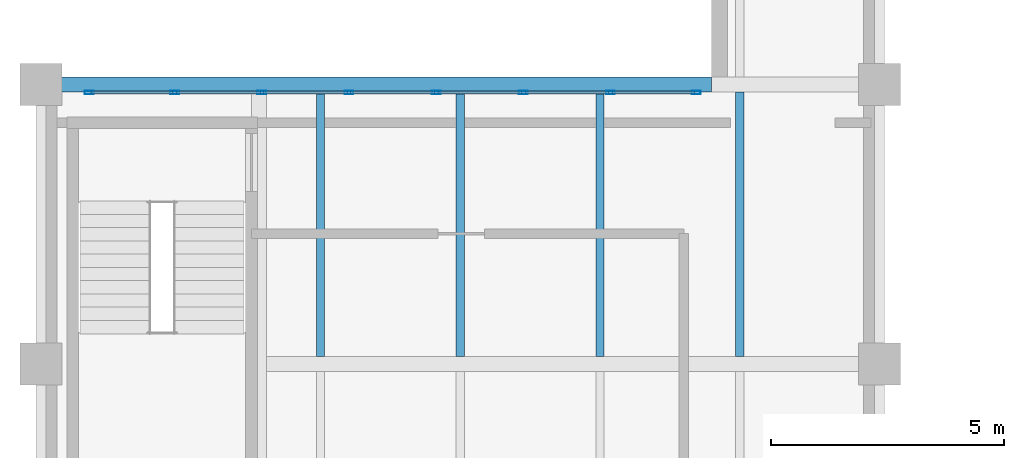
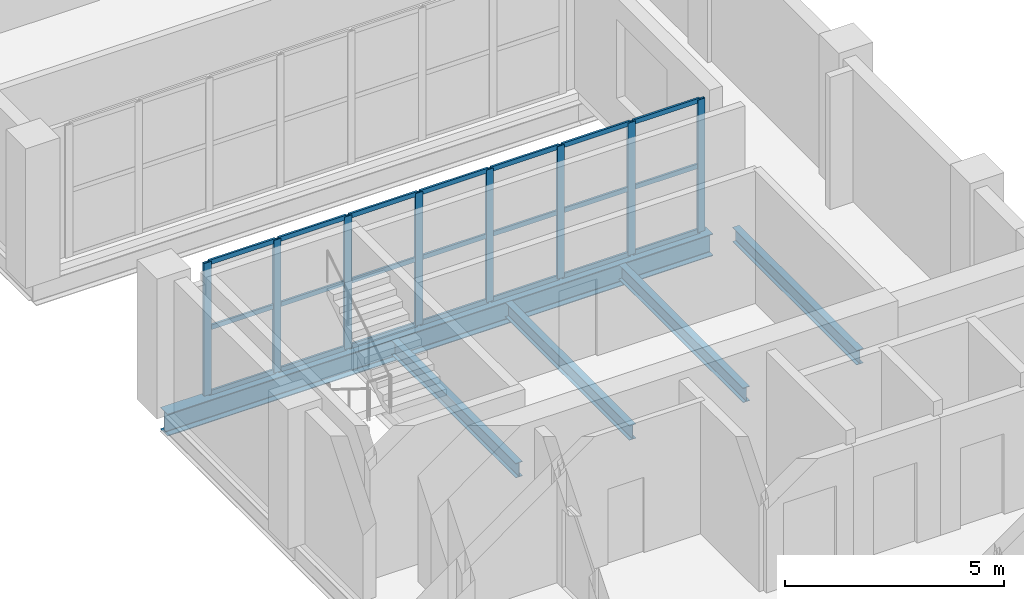
# One storey, part 2 of 9: 29 members, 5 beams, 1 element without a shape of its own.
"""IFC4 building model written with IfcOpenShell, lengths in metres."""

from ifc_helpers import new_model, si_unit, direction, frame, origin, origin_2d, place, context, subcontext, project, spatial, hollow_rectangle, i_section, extrude, material, layer, layer_set, material_profile, profile_set, type_object, element, aggregate, save


model = new_model("IFC4")

# Units and contexts
model_context = context("Model", 3, precision=1e-05, world=origin(), true_north=direction((0.0, 1.0)))
body_context = subcontext(model_context, "Body", "Model", "MODEL_VIEW")
ifc_project = project(units=[si_unit("LENGTHUNIT", "METRE"), si_unit("AREAUNIT", "SQUARE_METRE"), si_unit("VOLUMEUNIT", "CUBIC_METRE"), si_unit("PLANEANGLEUNIT", "RADIAN"), si_unit("MASSUNIT", "GRAM", prefix="KILO")], contexts=[model_context])

# Site, building, storey
site_placement = place(None, origin())
site = spatial("IfcSite", under=ifc_project, at=site_placement, CompositionType="ELEMENT")
building_placement = place(site_placement, origin())
building = spatial("IfcBuilding", under=site, at=building_placement, Name="Mawjdan Bourse Tower", CompositionType="ELEMENT")
storey_placement = place(building_placement, frame((0.0, 0.0, 195.60009765625)))
storey = spatial("IfcBuildingStorey", under=building, at=storey_placement, Name="L47", CompositionType="ELEMENT", Elevation=195.60009765625)

# Beams
ifc_material_1 = material(Name="Structural Steel S355", Category="steel")
ifc_material_profile_1 = material_profile(ifc_material_1, i_section(OverallWidth=0.324951171875, OverallDepth=0.616943359375, WebThickness=0.013916015625, FlangeThickness=0.021484375, FilletRadius=0.017333984375, at=origin_2d()), Name="W24X117")
ifc_profile_set_1 = profile_set([ifc_material_profile_1], Name="Structural Steel S355")
beam_type_1 = type_object("IfcBeamType", Name="GRD-W24X117", PredefinedType="BEAM", material=ifc_profile_set_1)
beam_placement = place(storey_placement, frame((6.0, 30.0, -0.508544921875), z_axis=(1.0, 0.0, 0.0), x_axis=(0.0, 1.0, 0.0)))
element("IfcBeam", 1, at=beam_placement, inside=storey, type_object=beam_type_1, Name="L47 North Wing Clear-Span Girder 048", PredefinedType="BEAM", context=body_context, shape_type="SweptSolid", body=[
    extrude(i_section(OverallWidth=0.324951171875, OverallDepth=0.616943359375, WebThickness=0.013916015625, FlangeThickness=0.021484375, FilletRadius=0.017333984375, at=origin_2d()), origin(), (0.0, 0.0, 1.0), 14.39990234375),
])
ifc_material_profile_2 = material_profile(ifc_material_1, i_section(OverallWidth=0.177978515625, OverallDepth=0.406982421875, WebThickness=0.0078125, FlangeThickness=0.0126953125, FilletRadius=0.01025390625, at=origin_2d()), Name="W16X40")
ifc_profile_set_2 = profile_set([ifc_material_profile_2], Name="Structural Steel S355")
beam_type_2 = type_object("IfcBeamType", Name="JST-W16X40", PredefinedType="JOIST", material=ifc_profile_set_2)
for number, where, z_axis, x_axis, name in (
    (2, (12.0, 24.160400390625, -0.403564453125), (0.0, 1.0, 0.0), (-1.0, 0.0, 0.0), "L47 North Wing Composite Joist 064"),
    (3, (15.0, 24.160400390625, -0.403564453125), (0.0, 1.0, 0.0), (-1.0, 0.0, 0.0), "L47 North Wing Composite Joist 068"),
    (4, (18.0, 24.160400390625, -0.403564453125), (0.0, 1.0, 0.0), (-1.0, 0.0, 0.0), "L47 North Wing Composite Joist 072"),
    (5, (21.0, 24.160400390625, -0.403564453125), (0.0, 1.0, 0.0), (-1.0, 0.0, 0.0), "L47 North Wing Composite Joist 076"),
):
    element("IfcBeam", number, at=place(storey_placement, frame(where, z_axis=z_axis, x_axis=x_axis)), inside=storey, type_object=beam_type_2, Name=name, PredefinedType="JOIST", context=body_context, shape_type="SweptSolid", body=[
        extrude(i_section(OverallWidth=0.177978515625, OverallDepth=0.406982421875, WebThickness=0.0078125, FlangeThickness=0.0126953125, FilletRadius=0.01025390625, at=origin_2d()), origin(), (0.0, 0.0, 1.0), 5.67919921875),
    ])

# Curtain wall, members
ifc_material_2 = material(Name="Thermally Broken Aluminium and Solar Glass", Category="aluminium")
ifc_layer = layer(ifc_material_2, 0.219970703125)
ifc_layer_set = layer_set([ifc_layer], Name="Thermally Broken Aluminium and Solar Glass")
curtain_wall_type = type_object("IfcCurtainWallType", Name="CW-POR", PredefinedType="USERDEFINED", material=ifc_layer_set)
curtain_wall_placement = place(storey_placement, origin())
curtain_wall = element("IfcCurtainWall", 6, at=curtain_wall_placement, inside=storey, type_object=curtain_wall_type, Name="L47 North Void Portal Glazed Cheek 16", ObjectType="VOID PORTAL CURTAIN WALL", PredefinedType="USERDEFINED")
ifc_material_3 = material(Name="Thermally Broken Anodised Aluminium", Category="aluminium")
ifc_material_profile_3 = material_profile(ifc_material_3, hollow_rectangle(XDim=0.070068359375, YDim=0.18994140625, WallThickness=0.00439453125, at=origin_2d()), Name="ALU-MUL-190X70")
ifc_profile_set_3 = profile_set([ifc_material_profile_3], Name="Thermally Broken Anodised Aluminium")
member_type_1 = type_object("IfcMemberType", Name="MUL-ALU-MUL-190X70", PredefinedType="MULLION", material=ifc_profile_set_3)
member_1_placement = place(storey_placement, frame((20.06494140625, 29.830078125, 0.0), z_axis=(0.0, 0.0, 1.0), x_axis=(0.0, -1.0, 0.0)))
member_1 = element("IfcMember", 7, at=member_1_placement, type_object=member_type_1, Name="CW-POR-L47-POR-N16 mullion 1", PredefinedType="MULLION", context=body_context, shape_type="SweptSolid", body=[
    extrude(hollow_rectangle(XDim=0.070068359375, YDim=0.18994140625, WallThickness=0.00439453125, at=origin_2d()), origin(), (0.0, 0.0, 1.0), 3.699951171875),
])
member_2_placement = place(storey_placement, frame((18.228515625, 29.830078125, 0.0), z_axis=(0.0, 0.0, 1.0), x_axis=(0.0, -1.0, 0.0)))
member_2 = element("IfcMember", 8, at=member_2_placement, type_object=member_type_1, Name="CW-POR-L47-POR-N16 mullion 2", PredefinedType="MULLION", context=body_context, shape_type="SweptSolid", body=[
    extrude(hollow_rectangle(XDim=0.070068359375, YDim=0.18994140625, WallThickness=0.00439453125, at=origin_2d()), origin(), (0.0, 0.0, 1.0), 3.699951171875),
])
member_3_placement = place(storey_placement, frame((16.357177734375, 29.830078125, 0.0), z_axis=(0.0, 0.0, 1.0), x_axis=(0.0, -1.0, 0.0)))
member_3 = element("IfcMember", 9, at=member_3_placement, type_object=member_type_1, Name="CW-POR-L47-POR-N16 mullion 3", PredefinedType="MULLION", context=body_context, shape_type="SweptSolid", body=[
    extrude(hollow_rectangle(XDim=0.070068359375, YDim=0.18994140625, WallThickness=0.00439453125, at=origin_2d()), origin(), (0.0, 0.0, 1.0), 3.699951171875),
])
member_4_placement = place(storey_placement, frame((14.485595703125, 29.830078125, 0.0), z_axis=(0.0, 0.0, 1.0), x_axis=(0.0, -1.0, 0.0)))
member_4 = element("IfcMember", 10, at=member_4_placement, type_object=member_type_1, Name="CW-POR-L47-POR-N16 mullion 4", PredefinedType="MULLION", context=body_context, shape_type="SweptSolid", body=[
    extrude(hollow_rectangle(XDim=0.070068359375, YDim=0.18994140625, WallThickness=0.00439453125, at=origin_2d()), origin(), (0.0, 0.0, 1.0), 3.699951171875),
])
member_5_placement = place(storey_placement, frame((12.6142578125, 29.830078125, 0.0), z_axis=(0.0, 0.0, 1.0), x_axis=(0.0, -1.0, 0.0)))
member_5 = element("IfcMember", 11, at=member_5_placement, type_object=member_type_1, Name="CW-POR-L47-POR-N16 mullion 5", PredefinedType="MULLION", context=body_context, shape_type="SweptSolid", body=[
    extrude(hollow_rectangle(XDim=0.070068359375, YDim=0.18994140625, WallThickness=0.00439453125, at=origin_2d()), origin(), (0.0, 0.0, 1.0), 3.699951171875),
])
member_6_placement = place(storey_placement, frame((10.742919921875, 29.830078125, 0.0), z_axis=(0.0, 0.0, 1.0), x_axis=(0.0, -1.0, 0.0)))
member_6 = element("IfcMember", 12, at=member_6_placement, type_object=member_type_1, Name="CW-POR-L47-POR-N16 mullion 6", PredefinedType="MULLION", context=body_context, shape_type="SweptSolid", body=[
    extrude(hollow_rectangle(XDim=0.070068359375, YDim=0.18994140625, WallThickness=0.00439453125, at=origin_2d()), origin(), (0.0, 0.0, 1.0), 3.699951171875),
])
member_7_placement = place(storey_placement, frame((8.871337890625, 29.830078125, 0.0), z_axis=(0.0, 0.0, 1.0), x_axis=(0.0, -1.0, 0.0)))
member_7 = element("IfcMember", 13, at=member_7_placement, type_object=member_type_1, Name="CW-POR-L47-POR-N16 mullion 7", PredefinedType="MULLION", context=body_context, shape_type="SweptSolid", body=[
    extrude(hollow_rectangle(XDim=0.070068359375, YDim=0.18994140625, WallThickness=0.00439453125, at=origin_2d()), origin(), (0.0, 0.0, 1.0), 3.699951171875),
])
member_8_placement = place(storey_placement, frame((7.034912109375, 29.830078125, 0.0), z_axis=(0.0, 0.0, 1.0), x_axis=(0.0, -1.0, 0.0)))
member_8 = element("IfcMember", 14, at=member_8_placement, type_object=member_type_1, Name="CW-POR-L47-POR-N16 mullion 8", PredefinedType="MULLION", context=body_context, shape_type="SweptSolid", body=[
    extrude(hollow_rectangle(XDim=0.070068359375, YDim=0.18994140625, WallThickness=0.00439453125, at=origin_2d()), origin(), (0.0, 0.0, 1.0), 3.699951171875),
])
ifc_material_profile_4 = material_profile(ifc_material_3, hollow_rectangle(XDim=0.054931640625, YDim=0.1298828125, WallThickness=0.00341796875, at=origin_2d()), Name="ALU-TRN-130X55")
ifc_profile_set_4 = profile_set([ifc_material_profile_4], Name="Thermally Broken Anodised Aluminium")
member_type_2 = type_object("IfcMemberType", Name="TRN-ALU-TRN-130X55", PredefinedType="USERDEFINED", material=ifc_profile_set_4)
member_9_placement = place(storey_placement, frame((20.030029296875, 29.830078125, 0.02734375), z_axis=(-1.0, 0.0, 0.0), x_axis=(0.0, -1.0, 0.0)))
member_9 = element("IfcMember", 15, at=member_9_placement, type_object=member_type_2, Name="CW-POR-L47-POR-N16 transom 1.1", ObjectType="TRANSOM", PredefinedType="USERDEFINED", context=body_context, shape_type="SweptSolid", body=[
    extrude(hollow_rectangle(XDim=0.054931640625, YDim=0.1298828125, WallThickness=0.00341796875, at=origin_2d()), origin(), (0.0, 0.0, 1.0), 1.766357421875),
])
member_10_placement = place(storey_placement, frame((20.030029296875, 29.830078125, 1.849853515625), z_axis=(-1.0, 0.0, 0.0), x_axis=(0.0, -1.0, 0.0)))
member_10 = element("IfcMember", 16, at=member_10_placement, type_object=member_type_2, Name="CW-POR-L47-POR-N16 transom 1.2", ObjectType="TRANSOM", PredefinedType="USERDEFINED", context=body_context, shape_type="SweptSolid", body=[
    extrude(hollow_rectangle(XDim=0.054931640625, YDim=0.1298828125, WallThickness=0.00341796875, at=origin_2d()), origin(), (0.0, 0.0, 1.0), 1.766357421875),
])
member_11_placement = place(storey_placement, frame((20.030029296875, 29.830078125, 3.67236328125), z_axis=(-1.0, 0.0, 0.0), x_axis=(0.0, -1.0, 0.0)))
member_11 = element("IfcMember", 17, at=member_11_placement, type_object=member_type_2, Name="CW-POR-L47-POR-N16 transom 1.3", ObjectType="TRANSOM", PredefinedType="USERDEFINED", context=body_context, shape_type="SweptSolid", body=[
    extrude(hollow_rectangle(XDim=0.054931640625, YDim=0.1298828125, WallThickness=0.00341796875, at=origin_2d()), origin(), (0.0, 0.0, 1.0), 1.766357421875),
])
member_12_placement = place(storey_placement, frame((18.193603515625, 29.830078125, 0.02734375), z_axis=(-1.0, 0.0, 0.0), x_axis=(0.0, -1.0, 0.0)))
member_12 = element("IfcMember", 18, at=member_12_placement, type_object=member_type_2, Name="CW-POR-L47-POR-N16 transom 2.1", ObjectType="TRANSOM", PredefinedType="USERDEFINED", context=body_context, shape_type="SweptSolid", body=[
    extrude(hollow_rectangle(XDim=0.054931640625, YDim=0.1298828125, WallThickness=0.00341796875, at=origin_2d()), origin(), (0.0, 0.0, 1.0), 1.801513671875),
])
member_13_placement = place(storey_placement, frame((18.193603515625, 29.830078125, 1.849853515625), z_axis=(-1.0, 0.0, 0.0), x_axis=(0.0, -1.0, 0.0)))
member_13 = element("IfcMember", 19, at=member_13_placement, type_object=member_type_2, Name="CW-POR-L47-POR-N16 transom 2.2", ObjectType="TRANSOM", PredefinedType="USERDEFINED", context=body_context, shape_type="SweptSolid", body=[
    extrude(hollow_rectangle(XDim=0.054931640625, YDim=0.1298828125, WallThickness=0.00341796875, at=origin_2d()), origin(), (0.0, 0.0, 1.0), 1.801513671875),
])
member_14_placement = place(storey_placement, frame((18.193603515625, 29.830078125, 3.67236328125), z_axis=(-1.0, 0.0, 0.0), x_axis=(0.0, -1.0, 0.0)))
member_14 = element("IfcMember", 20, at=member_14_placement, type_object=member_type_2, Name="CW-POR-L47-POR-N16 transom 2.3", ObjectType="TRANSOM", PredefinedType="USERDEFINED", context=body_context, shape_type="SweptSolid", body=[
    extrude(hollow_rectangle(XDim=0.054931640625, YDim=0.1298828125, WallThickness=0.00341796875, at=origin_2d()), origin(), (0.0, 0.0, 1.0), 1.801513671875),
])
member_15_placement = place(storey_placement, frame((16.322021484375, 29.830078125, 0.02734375), z_axis=(-1.0, 0.0, 0.0), x_axis=(0.0, -1.0, 0.0)))
member_15 = element("IfcMember", 21, at=member_15_placement, type_object=member_type_2, Name="CW-POR-L47-POR-N16 transom 3.1", ObjectType="TRANSOM", PredefinedType="USERDEFINED", context=body_context, shape_type="SweptSolid", body=[
    extrude(hollow_rectangle(XDim=0.054931640625, YDim=0.1298828125, WallThickness=0.00341796875, at=origin_2d()), origin(), (0.0, 0.0, 1.0), 1.80126953125),
])
member_16_placement = place(storey_placement, frame((16.322021484375, 29.830078125, 1.849853515625), z_axis=(-1.0, 0.0, 0.0), x_axis=(0.0, -1.0, 0.0)))
member_16 = element("IfcMember", 22, at=member_16_placement, type_object=member_type_2, Name="CW-POR-L47-POR-N16 transom 3.2", ObjectType="TRANSOM", PredefinedType="USERDEFINED", context=body_context, shape_type="SweptSolid", body=[
    extrude(hollow_rectangle(XDim=0.054931640625, YDim=0.1298828125, WallThickness=0.00341796875, at=origin_2d()), origin(), (0.0, 0.0, 1.0), 1.80126953125),
])
member_17_placement = place(storey_placement, frame((16.322021484375, 29.830078125, 3.67236328125), z_axis=(-1.0, 0.0, 0.0), x_axis=(0.0, -1.0, 0.0)))
member_17 = element("IfcMember", 23, at=member_17_placement, type_object=member_type_2, Name="CW-POR-L47-POR-N16 transom 3.3", ObjectType="TRANSOM", PredefinedType="USERDEFINED", context=body_context, shape_type="SweptSolid", body=[
    extrude(hollow_rectangle(XDim=0.054931640625, YDim=0.1298828125, WallThickness=0.00341796875, at=origin_2d()), origin(), (0.0, 0.0, 1.0), 1.80126953125),
])
member_18_placement = place(storey_placement, frame((14.45068359375, 29.830078125, 0.02734375), z_axis=(-1.0, 0.0, 0.0), x_axis=(0.0, -1.0, 0.0)))
member_18 = element("IfcMember", 24, at=member_18_placement, type_object=member_type_2, Name="CW-POR-L47-POR-N16 transom 4.1", ObjectType="TRANSOM", PredefinedType="USERDEFINED", context=body_context, shape_type="SweptSolid", body=[
    extrude(hollow_rectangle(XDim=0.054931640625, YDim=0.1298828125, WallThickness=0.00341796875, at=origin_2d()), origin(), (0.0, 0.0, 1.0), 1.801513671875),
])
member_19_placement = place(storey_placement, frame((14.45068359375, 29.830078125, 1.849853515625), z_axis=(-1.0, 0.0, 0.0), x_axis=(0.0, -1.0, 0.0)))
member_19 = element("IfcMember", 25, at=member_19_placement, type_object=member_type_2, Name="CW-POR-L47-POR-N16 transom 4.2", ObjectType="TRANSOM", PredefinedType="USERDEFINED", context=body_context, shape_type="SweptSolid", body=[
    extrude(hollow_rectangle(XDim=0.054931640625, YDim=0.1298828125, WallThickness=0.00341796875, at=origin_2d()), origin(), (0.0, 0.0, 1.0), 1.801513671875),
])
member_20_placement = place(storey_placement, frame((14.45068359375, 29.830078125, 3.67236328125), z_axis=(-1.0, 0.0, 0.0), x_axis=(0.0, -1.0, 0.0)))
member_20 = element("IfcMember", 26, at=member_20_placement, type_object=member_type_2, Name="CW-POR-L47-POR-N16 transom 4.3", ObjectType="TRANSOM", PredefinedType="USERDEFINED", context=body_context, shape_type="SweptSolid", body=[
    extrude(hollow_rectangle(XDim=0.054931640625, YDim=0.1298828125, WallThickness=0.00341796875, at=origin_2d()), origin(), (0.0, 0.0, 1.0), 1.801513671875),
])
member_21_placement = place(storey_placement, frame((12.579345703125, 29.830078125, 0.02734375), z_axis=(-1.0, 0.0, 0.0), x_axis=(0.0, -1.0, 0.0)))
member_21 = element("IfcMember", 27, at=member_21_placement, type_object=member_type_2, Name="CW-POR-L47-POR-N16 transom 5.1", ObjectType="TRANSOM", PredefinedType="USERDEFINED", context=body_context, shape_type="SweptSolid", body=[
    extrude(hollow_rectangle(XDim=0.054931640625, YDim=0.1298828125, WallThickness=0.00341796875, at=origin_2d()), origin(), (0.0, 0.0, 1.0), 1.801513671875),
])
member_22_placement = place(storey_placement, frame((12.579345703125, 29.830078125, 1.849853515625), z_axis=(-1.0, 0.0, 0.0), x_axis=(0.0, -1.0, 0.0)))
member_22 = element("IfcMember", 28, at=member_22_placement, type_object=member_type_2, Name="CW-POR-L47-POR-N16 transom 5.2", ObjectType="TRANSOM", PredefinedType="USERDEFINED", context=body_context, shape_type="SweptSolid", body=[
    extrude(hollow_rectangle(XDim=0.054931640625, YDim=0.1298828125, WallThickness=0.00341796875, at=origin_2d()), origin(), (0.0, 0.0, 1.0), 1.801513671875),
])
member_23_placement = place(storey_placement, frame((12.579345703125, 29.830078125, 3.67236328125), z_axis=(-1.0, 0.0, 0.0), x_axis=(0.0, -1.0, 0.0)))
member_23 = element("IfcMember", 29, at=member_23_placement, type_object=member_type_2, Name="CW-POR-L47-POR-N16 transom 5.3", ObjectType="TRANSOM", PredefinedType="USERDEFINED", context=body_context, shape_type="SweptSolid", body=[
    extrude(hollow_rectangle(XDim=0.054931640625, YDim=0.1298828125, WallThickness=0.00341796875, at=origin_2d()), origin(), (0.0, 0.0, 1.0), 1.801513671875),
])
member_24_placement = place(storey_placement, frame((10.707763671875, 29.830078125, 0.02734375), z_axis=(-1.0, 0.0, 0.0), x_axis=(0.0, -1.0, 0.0)))
member_24 = element("IfcMember", 30, at=member_24_placement, type_object=member_type_2, Name="CW-POR-L47-POR-N16 transom 6.1", ObjectType="TRANSOM", PredefinedType="USERDEFINED", context=body_context, shape_type="SweptSolid", body=[
    extrude(hollow_rectangle(XDim=0.054931640625, YDim=0.1298828125, WallThickness=0.00341796875, at=origin_2d()), origin(), (0.0, 0.0, 1.0), 1.80126953125),
])
member_25_placement = place(storey_placement, frame((10.707763671875, 29.830078125, 1.849853515625), z_axis=(-1.0, 0.0, 0.0), x_axis=(0.0, -1.0, 0.0)))
member_25 = element("IfcMember", 31, at=member_25_placement, type_object=member_type_2, Name="CW-POR-L47-POR-N16 transom 6.2", ObjectType="TRANSOM", PredefinedType="USERDEFINED", context=body_context, shape_type="SweptSolid", body=[
    extrude(hollow_rectangle(XDim=0.054931640625, YDim=0.1298828125, WallThickness=0.00341796875, at=origin_2d()), origin(), (0.0, 0.0, 1.0), 1.80126953125),
])
member_26_placement = place(storey_placement, frame((10.707763671875, 29.830078125, 3.67236328125), z_axis=(-1.0, 0.0, 0.0), x_axis=(0.0, -1.0, 0.0)))
member_26 = element("IfcMember", 32, at=member_26_placement, type_object=member_type_2, Name="CW-POR-L47-POR-N16 transom 6.3", ObjectType="TRANSOM", PredefinedType="USERDEFINED", context=body_context, shape_type="SweptSolid", body=[
    extrude(hollow_rectangle(XDim=0.054931640625, YDim=0.1298828125, WallThickness=0.00341796875, at=origin_2d()), origin(), (0.0, 0.0, 1.0), 1.80126953125),
])
member_27_placement = place(storey_placement, frame((8.83642578125, 29.830078125, 0.02734375), z_axis=(-1.0, 0.0, 0.0), x_axis=(0.0, -1.0, 0.0)))
member_27 = element("IfcMember", 33, at=member_27_placement, type_object=member_type_2, Name="CW-POR-L47-POR-N16 transom 7.1", ObjectType="TRANSOM", PredefinedType="USERDEFINED", context=body_context, shape_type="SweptSolid", body=[
    extrude(hollow_rectangle(XDim=0.054931640625, YDim=0.1298828125, WallThickness=0.00341796875, at=origin_2d()), origin(), (0.0, 0.0, 1.0), 1.766357421875),
])
member_28_placement = place(storey_placement, frame((8.83642578125, 29.830078125, 1.849853515625), z_axis=(-1.0, 0.0, 0.0), x_axis=(0.0, -1.0, 0.0)))
member_28 = element("IfcMember", 34, at=member_28_placement, type_object=member_type_2, Name="CW-POR-L47-POR-N16 transom 7.2", ObjectType="TRANSOM", PredefinedType="USERDEFINED", context=body_context, shape_type="SweptSolid", body=[
    extrude(hollow_rectangle(XDim=0.054931640625, YDim=0.1298828125, WallThickness=0.00341796875, at=origin_2d()), origin(), (0.0, 0.0, 1.0), 1.766357421875),
])
member_29_placement = place(storey_placement, frame((8.83642578125, 29.830078125, 3.67236328125), z_axis=(-1.0, 0.0, 0.0), x_axis=(0.0, -1.0, 0.0)))
member_29 = element("IfcMember", 35, at=member_29_placement, type_object=member_type_2, Name="CW-POR-L47-POR-N16 transom 7.3", ObjectType="TRANSOM", PredefinedType="USERDEFINED", context=body_context, shape_type="SweptSolid", body=[
    extrude(hollow_rectangle(XDim=0.054931640625, YDim=0.1298828125, WallThickness=0.00341796875, at=origin_2d()), origin(), (0.0, 0.0, 1.0), 1.766357421875),
])
aggregate(curtain_wall, [member_1, member_2, member_3, member_4, member_5, member_6, member_7, member_8, member_9, member_10, member_11, member_12, member_13, member_14, member_15, member_16, member_17, member_18, member_19, member_20, member_21, member_22, member_23, member_24, member_25, member_26, member_27, member_28, member_29])

save(model, "model.ifc")
